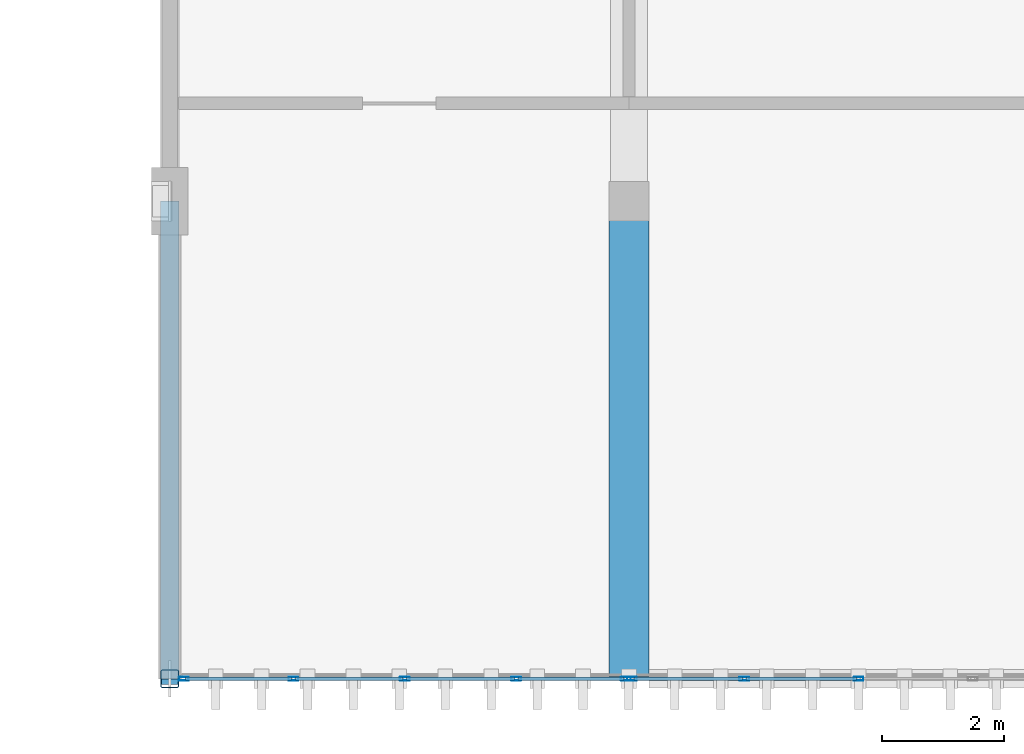
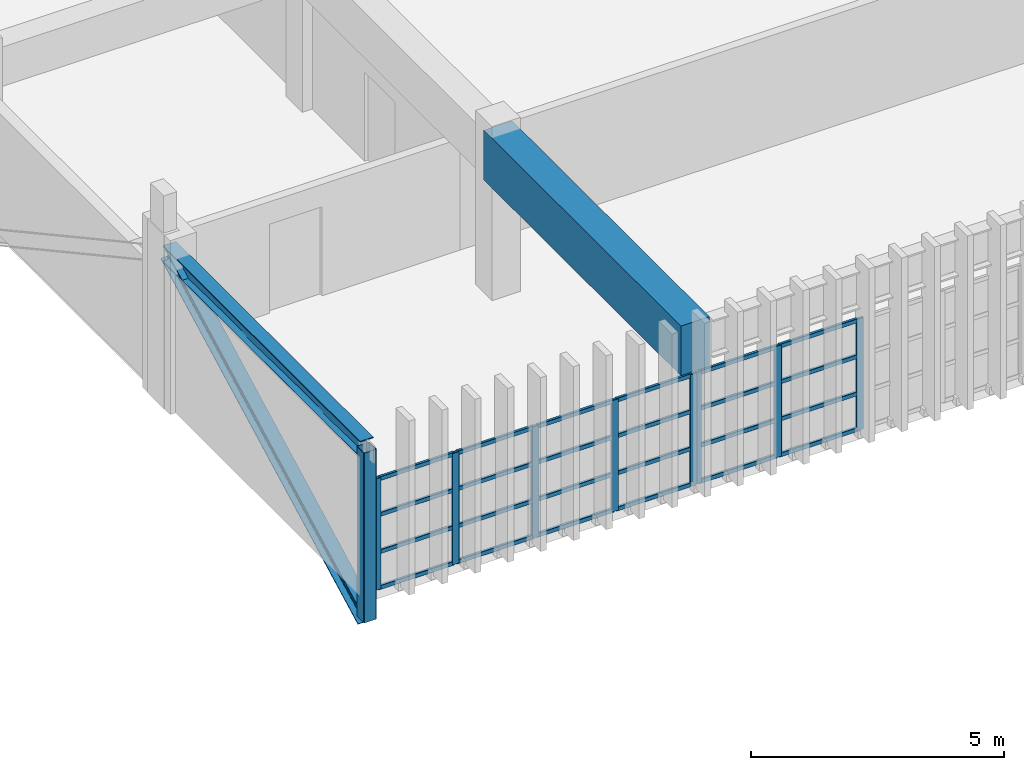
# One storey, part 2 of 51: 35 members, 1 beam, 2 elements without a shape of their own.
"""IFC4 building model written with IfcOpenShell, lengths in metres."""

from ifc_helpers import new_model, si_unit, direction, frame, origin, origin_2d, place, context, subcontext, project, spatial, rectangle, hollow_rectangle, i_section, extrude, material, material_profile, profile_set, type_object, element, aggregate, save


model = new_model("IFC4")

# Units and contexts
model_context = context("Model", 3, precision=1e-05, world=origin(), true_north=direction((0.0, 1.0)))
body_context = subcontext(model_context, "Body", "Model", "MODEL_VIEW")
ifc_project = project(units=[si_unit("LENGTHUNIT", "METRE"), si_unit("AREAUNIT", "SQUARE_METRE"), si_unit("VOLUMEUNIT", "CUBIC_METRE"), si_unit("PLANEANGLEUNIT", "RADIAN"), si_unit("MASSUNIT", "GRAM", prefix="KILO")], contexts=[model_context])

# Site, building, storey
site_placement = place(None, origin())
site = spatial("IfcSite", under=ifc_project, at=site_placement, CompositionType="ELEMENT")
building_placement = place(site_placement, origin())
building = spatial("IfcBuilding", under=site, at=building_placement, Name="Qasida Concert Hall", CompositionType="ELEMENT")
storey_placement = place(building_placement, frame((0.0, 0.0, 21.0)))
storey = spatial("IfcBuildingStorey", under=building, at=storey_placement, Name="L05", CompositionType="ELEMENT", Elevation=21.0)

# Beam
ifc_material_1 = material(Name="Concrete C50/60", Category="concrete")
ifc_material_profile_1 = material_profile(ifc_material_1, rectangle(XDim=0.64990234375, YDim=1.199951171875, at=origin_2d()), Name="RC 650x1200")
ifc_profile_set_1 = profile_set([ifc_material_profile_1], Name="Concrete C50/60")
beam_type = type_object("IfcBeamType", Name="BM-CG-1200", PredefinedType="USERDEFINED", material=ifc_profile_set_1)
beam_placement = place(storey_placement, frame((60.0, 22.5, 3.320068359375), z_axis=(0.0, -1.0, 0.0), x_axis=(1.0, 0.0, 0.0)))
element("IfcBeam", 1, at=beam_placement, inside=storey, type_object=beam_type, Name="Cantilever girder CG-029", ObjectType="GIRDER", PredefinedType="USERDEFINED", context=body_context, shape_type="SweptSolid", body=[
    extrude(rectangle(XDim=0.64990234375, YDim=1.199951171875, at=origin_2d()), origin(), (0.0, 0.0, 1.0), 7.800048828125),
])

# Members
ifc_material_2 = material(Name="Steel S355J2", Category="steel")
ifc_material_profile_2 = material_profile(ifc_material_2, i_section(OverallWidth=0.300048828125, OverallDepth=0.39990234375, WebThickness=0.013427734375, FlangeThickness=0.02392578125, FilletRadius=0.027099609375, at=origin_2d()), Name="HEB 400")
ifc_profile_set_2 = profile_set([ifc_material_profile_2], Name="Steel S355J2")
member_type_1 = type_object("IfcMemberType", Name="MB-CH1", PredefinedType="CHORD", material=ifc_profile_set_2)
member_1_placement = place(storey_placement, frame((52.5, 22.5, 3.5), z_axis=(0.0, -0.885160900298, -0.465285053041), x_axis=(1.0, 0.0, 0.0)))
element("IfcMember", 2, at=member_1_placement, inside=storey, type_object=member_type_1, Name="Wall truss diagonal WT-W-014", PredefinedType="CHORD", context=body_context, shape_type="SweptSolid", body=[
    extrude(i_section(OverallWidth=0.300048828125, OverallDepth=0.39990234375, WebThickness=0.013427734375, FlangeThickness=0.02392578125, FilletRadius=0.027099609375, at=origin_2d()), origin(), (0.0, 0.0, 1.0), 8.81201171875),
])
member_2_placement = place(storey_placement, frame((52.5, 14.699951171875, 3.5), z_axis=(0.0, 1.0, 0.0), x_axis=(-1.0, 0.0, 0.0)))
element("IfcMember", 3, at=member_2_placement, inside=storey, type_object=member_type_1, Name="Wall truss top chord WT-W-016", PredefinedType="CHORD", context=body_context, shape_type="SweptSolid", body=[
    extrude(i_section(OverallWidth=0.300048828125, OverallDepth=0.39990234375, WebThickness=0.013427734375, FlangeThickness=0.02392578125, FilletRadius=0.027099609375, at=origin_2d()), origin(), (0.0, 0.0, 1.0), 7.800048828125),
])

# Curtain wall, members
ifc_material_3 = material(Name="Architectural bronze-anodized aluminium and low-E glass", Category="aluminium")
curtain_wall_type = type_object("IfcCurtainWallType", Name="CW-05", PredefinedType="NOTDEFINED", material=ifc_material_3)
curtain_wall_1_placement = place(storey_placement, origin())
curtain_wall_1 = element("IfcCurtainWall", 4, at=curtain_wall_1_placement, inside=storey, type_object=curtain_wall_type, Name="L05 curtain wall CW-05 0029", PredefinedType="NOTDEFINED")
ifc_material_4 = material(Name="Architectural bronze-anodized aluminium EN AW-6063", Category="aluminium")
ifc_material_profile_3 = material_profile(ifc_material_4, hollow_rectangle(XDim=0.06005859375, YDim=0.159912109375, WallThickness=0.00390625, InnerFilletRadius=0.00390625, OuterFilletRadius=0.008056640625, at=origin_2d()), Name="CWM 160x60x4")
ifc_profile_set_3 = profile_set([ifc_material_profile_3], Name="Architectural bronze-anodized aluminium EN AW-6063")
member_type_2 = type_object("IfcMemberType", Name="MB-CWM-3", PredefinedType="MULLION", material=ifc_profile_set_3)
member_3_placement = place(storey_placement, frame((52.72998046875, 14.699951171875, 0.0), z_axis=(0.0, 0.0, 1.0), x_axis=(0.0, 1.0, 0.0)))
member_3 = element("IfcMember", 5, at=member_3_placement, type_object=member_type_2, Name="CW-05 mullion 1", PredefinedType="MULLION", context=body_context, shape_type="SweptSolid", body=[
    extrude(hollow_rectangle(XDim=0.06005859375, YDim=0.159912109375, WallThickness=0.00390625, InnerFilletRadius=0.00390625, OuterFilletRadius=0.008056640625, at=origin_2d()), origin(), (0.0, 0.0, 1.0), 2.68994140625),
])
member_4_placement = place(storey_placement, frame((54.52001953125, 14.699951171875, 0.0), z_axis=(0.0, 0.0, 1.0), x_axis=(0.0, 1.0, 0.0)))
member_4 = element("IfcMember", 6, at=member_4_placement, type_object=member_type_2, Name="CW-05 mullion 2", PredefinedType="MULLION", context=body_context, shape_type="SweptSolid", body=[
    extrude(hollow_rectangle(XDim=0.06005859375, YDim=0.159912109375, WallThickness=0.00390625, InnerFilletRadius=0.00390625, OuterFilletRadius=0.008056640625, at=origin_2d()), origin(), (0.0, 0.0, 1.0), 2.68994140625),
])
member_5_placement = place(storey_placement, frame((56.340087890625, 14.699951171875, 0.0), z_axis=(0.0, 0.0, 1.0), x_axis=(0.0, 1.0, 0.0)))
member_5 = element("IfcMember", 7, at=member_5_placement, type_object=member_type_2, Name="CW-05 mullion 3", PredefinedType="MULLION", context=body_context, shape_type="SweptSolid", body=[
    extrude(hollow_rectangle(XDim=0.06005859375, YDim=0.159912109375, WallThickness=0.00390625, InnerFilletRadius=0.00390625, OuterFilletRadius=0.008056640625, at=origin_2d()), origin(), (0.0, 0.0, 1.0), 2.68994140625),
])
member_6_placement = place(storey_placement, frame((58.159912109375, 14.699951171875, 0.0), z_axis=(0.0, 0.0, 1.0), x_axis=(0.0, 1.0, 0.0)))
member_6 = element("IfcMember", 8, at=member_6_placement, type_object=member_type_2, Name="CW-05 mullion 4", PredefinedType="MULLION", context=body_context, shape_type="SweptSolid", body=[
    extrude(hollow_rectangle(XDim=0.06005859375, YDim=0.159912109375, WallThickness=0.00390625, InnerFilletRadius=0.00390625, OuterFilletRadius=0.008056640625, at=origin_2d()), origin(), (0.0, 0.0, 1.0), 2.68994140625),
])
member_7_placement = place(storey_placement, frame((59.949951171875, 14.699951171875, 0.0), z_axis=(0.0, 0.0, 1.0), x_axis=(0.0, 1.0, 0.0)))
member_7 = element("IfcMember", 9, at=member_7_placement, type_object=member_type_2, Name="CW-05 mullion 5", PredefinedType="MULLION", context=body_context, shape_type="SweptSolid", body=[
    extrude(hollow_rectangle(XDim=0.06005859375, YDim=0.159912109375, WallThickness=0.00390625, InnerFilletRadius=0.00390625, OuterFilletRadius=0.008056640625, at=origin_2d()), origin(), (0.0, 0.0, 1.0), 2.68994140625),
])

curtain_wall_2_placement = place(storey_placement, origin())
curtain_wall_2 = element("IfcCurtainWall", 10, at=curtain_wall_2_placement, inside=storey, type_object=curtain_wall_type, Name="L05 curtain wall CW-05 0030", PredefinedType="NOTDEFINED")
member_8_placement = place(storey_placement, frame((60.050048828125, 14.699951171875, 0.0), z_axis=(0.0, 0.0, 1.0), x_axis=(0.0, 1.0, 0.0)))
member_8 = element("IfcMember", 11, at=member_8_placement, type_object=member_type_2, Name="CW-05 mullion 1", PredefinedType="MULLION", context=body_context, shape_type="SweptSolid", body=[
    extrude(hollow_rectangle(XDim=0.06005859375, YDim=0.159912109375, WallThickness=0.00390625, InnerFilletRadius=0.00390625, OuterFilletRadius=0.008056640625, at=origin_2d()), origin(), (0.0, 0.0, 1.0), 2.68994140625),
])
member_9_placement = place(storey_placement, frame((61.885009765625, 14.699951171875, 0.0), z_axis=(0.0, 0.0, 1.0), x_axis=(0.0, 1.0, 0.0)))
member_9 = element("IfcMember", 12, at=member_9_placement, type_object=member_type_2, Name="CW-05 mullion 2", PredefinedType="MULLION", context=body_context, shape_type="SweptSolid", body=[
    extrude(hollow_rectangle(XDim=0.06005859375, YDim=0.159912109375, WallThickness=0.00390625, InnerFilletRadius=0.00390625, OuterFilletRadius=0.008056640625, at=origin_2d()), origin(), (0.0, 0.0, 1.0), 2.68994140625),
])
member_10_placement = place(storey_placement, frame((63.75, 14.699951171875, 0.0), z_axis=(0.0, 0.0, 1.0), x_axis=(0.0, 1.0, 0.0)))
member_10 = element("IfcMember", 13, at=member_10_placement, type_object=member_type_2, Name="CW-05 mullion 3", PredefinedType="MULLION", context=body_context, shape_type="SweptSolid", body=[
    extrude(hollow_rectangle(XDim=0.06005859375, YDim=0.159912109375, WallThickness=0.00390625, InnerFilletRadius=0.00390625, OuterFilletRadius=0.008056640625, at=origin_2d()), origin(), (0.0, 0.0, 1.0), 2.68994140625),
])

# Member
ifc_material_profile_4 = material_profile(ifc_material_4, hollow_rectangle(XDim=0.06005859375, YDim=0.10009765625, WallThickness=0.00341796875, InnerFilletRadius=0.00341796875, OuterFilletRadius=0.007080078125, at=origin_2d()), Name="CWT 100x60x3.5")
ifc_profile_set_4 = profile_set([ifc_material_profile_4], Name="Architectural bronze-anodized aluminium EN AW-6063")
member_type_3 = type_object("IfcMemberType", Name="MB-CWT-3", PredefinedType="USERDEFINED", material=ifc_profile_set_4)
member_11_placement = place(storey_placement, frame((52.760009765625, 14.699951171875, 0.030029296875), z_axis=(1.0, 0.0, 0.0), x_axis=(0.0, 1.0, 0.0)))
member_11 = element("IfcMember", 14, at=member_11_placement, type_object=member_type_3, Name="CW-05 transom 1.1", ObjectType="TRANSOM", PredefinedType="USERDEFINED", context=body_context, shape_type="SweptSolid", body=[
    extrude(hollow_rectangle(XDim=0.06005859375, YDim=0.10009765625, WallThickness=0.00341796875, InnerFilletRadius=0.00341796875, OuterFilletRadius=0.007080078125, at=origin_2d()), origin(), (0.0, 0.0, 1.0), 1.72998046875),
])

member_12_placement = place(storey_placement, frame((52.760009765625, 14.699951171875, 0.896728515625), z_axis=(1.0, 0.0, 0.0), x_axis=(0.0, 1.0, 0.0)))
member_12 = element("IfcMember", 15, at=member_12_placement, type_object=member_type_3, Name="CW-05 transom 1.2", ObjectType="TRANSOM", PredefinedType="USERDEFINED", context=body_context, shape_type="SweptSolid", body=[
    extrude(hollow_rectangle(XDim=0.06005859375, YDim=0.10009765625, WallThickness=0.00341796875, InnerFilletRadius=0.00341796875, OuterFilletRadius=0.007080078125, at=origin_2d()), origin(), (0.0, 0.0, 1.0), 1.72998046875),
])

member_13_placement = place(storey_placement, frame((52.760009765625, 14.699951171875, 1.793212890625), z_axis=(1.0, 0.0, 0.0), x_axis=(0.0, 1.0, 0.0)))
member_13 = element("IfcMember", 16, at=member_13_placement, type_object=member_type_3, Name="CW-05 transom 1.3", ObjectType="TRANSOM", PredefinedType="USERDEFINED", context=body_context, shape_type="SweptSolid", body=[
    extrude(hollow_rectangle(XDim=0.06005859375, YDim=0.10009765625, WallThickness=0.00341796875, InnerFilletRadius=0.00341796875, OuterFilletRadius=0.007080078125, at=origin_2d()), origin(), (0.0, 0.0, 1.0), 1.72998046875),
])

member_14_placement = place(storey_placement, frame((52.760009765625, 14.699951171875, 2.659912109375), z_axis=(1.0, 0.0, 0.0), x_axis=(0.0, 1.0, 0.0)))
member_14 = element("IfcMember", 17, at=member_14_placement, type_object=member_type_3, Name="CW-05 transom 1.4", ObjectType="TRANSOM", PredefinedType="USERDEFINED", context=body_context, shape_type="SweptSolid", body=[
    extrude(hollow_rectangle(XDim=0.06005859375, YDim=0.10009765625, WallThickness=0.00341796875, InnerFilletRadius=0.00341796875, OuterFilletRadius=0.007080078125, at=origin_2d()), origin(), (0.0, 0.0, 1.0), 1.72998046875),
])

member_15_placement = place(storey_placement, frame((54.550048828125, 14.699951171875, 0.030029296875), z_axis=(1.0, 0.0, 0.0), x_axis=(0.0, 1.0, 0.0)))
member_15 = element("IfcMember", 18, at=member_15_placement, type_object=member_type_3, Name="CW-05 transom 2.1", ObjectType="TRANSOM", PredefinedType="USERDEFINED", context=body_context, shape_type="SweptSolid", body=[
    extrude(hollow_rectangle(XDim=0.06005859375, YDim=0.10009765625, WallThickness=0.00341796875, InnerFilletRadius=0.00341796875, OuterFilletRadius=0.007080078125, at=origin_2d()), origin(), (0.0, 0.0, 1.0), 1.760009765625),
])

member_16_placement = place(storey_placement, frame((54.550048828125, 14.699951171875, 0.896728515625), z_axis=(1.0, 0.0, 0.0), x_axis=(0.0, 1.0, 0.0)))
member_16 = element("IfcMember", 19, at=member_16_placement, type_object=member_type_3, Name="CW-05 transom 2.2", ObjectType="TRANSOM", PredefinedType="USERDEFINED", context=body_context, shape_type="SweptSolid", body=[
    extrude(hollow_rectangle(XDim=0.06005859375, YDim=0.10009765625, WallThickness=0.00341796875, InnerFilletRadius=0.00341796875, OuterFilletRadius=0.007080078125, at=origin_2d()), origin(), (0.0, 0.0, 1.0), 1.760009765625),
])

member_17_placement = place(storey_placement, frame((54.550048828125, 14.699951171875, 1.793212890625), z_axis=(1.0, 0.0, 0.0), x_axis=(0.0, 1.0, 0.0)))
member_17 = element("IfcMember", 20, at=member_17_placement, type_object=member_type_3, Name="CW-05 transom 2.3", ObjectType="TRANSOM", PredefinedType="USERDEFINED", context=body_context, shape_type="SweptSolid", body=[
    extrude(hollow_rectangle(XDim=0.06005859375, YDim=0.10009765625, WallThickness=0.00341796875, InnerFilletRadius=0.00341796875, OuterFilletRadius=0.007080078125, at=origin_2d()), origin(), (0.0, 0.0, 1.0), 1.760009765625),
])

member_18_placement = place(storey_placement, frame((54.550048828125, 14.699951171875, 2.659912109375), z_axis=(1.0, 0.0, 0.0), x_axis=(0.0, 1.0, 0.0)))
member_18 = element("IfcMember", 21, at=member_18_placement, type_object=member_type_3, Name="CW-05 transom 2.4", ObjectType="TRANSOM", PredefinedType="USERDEFINED", context=body_context, shape_type="SweptSolid", body=[
    extrude(hollow_rectangle(XDim=0.06005859375, YDim=0.10009765625, WallThickness=0.00341796875, InnerFilletRadius=0.00341796875, OuterFilletRadius=0.007080078125, at=origin_2d()), origin(), (0.0, 0.0, 1.0), 1.760009765625),
])

member_19_placement = place(storey_placement, frame((56.3701171875, 14.699951171875, 0.030029296875), z_axis=(1.0, 0.0, 0.0), x_axis=(0.0, 1.0, 0.0)))
member_19 = element("IfcMember", 22, at=member_19_placement, type_object=member_type_3, Name="CW-05 transom 3.1", ObjectType="TRANSOM", PredefinedType="USERDEFINED", context=body_context, shape_type="SweptSolid", body=[
    extrude(hollow_rectangle(XDim=0.06005859375, YDim=0.10009765625, WallThickness=0.00341796875, InnerFilletRadius=0.00341796875, OuterFilletRadius=0.007080078125, at=origin_2d()), origin(), (0.0, 0.0, 1.0), 1.759765625),
])

member_20_placement = place(storey_placement, frame((56.3701171875, 14.699951171875, 0.896728515625), z_axis=(1.0, 0.0, 0.0), x_axis=(0.0, 1.0, 0.0)))
member_20 = element("IfcMember", 23, at=member_20_placement, type_object=member_type_3, Name="CW-05 transom 3.2", ObjectType="TRANSOM", PredefinedType="USERDEFINED", context=body_context, shape_type="SweptSolid", body=[
    extrude(hollow_rectangle(XDim=0.06005859375, YDim=0.10009765625, WallThickness=0.00341796875, InnerFilletRadius=0.00341796875, OuterFilletRadius=0.007080078125, at=origin_2d()), origin(), (0.0, 0.0, 1.0), 1.759765625),
])

member_21_placement = place(storey_placement, frame((56.3701171875, 14.699951171875, 1.793212890625), z_axis=(1.0, 0.0, 0.0), x_axis=(0.0, 1.0, 0.0)))
member_21 = element("IfcMember", 24, at=member_21_placement, type_object=member_type_3, Name="CW-05 transom 3.3", ObjectType="TRANSOM", PredefinedType="USERDEFINED", context=body_context, shape_type="SweptSolid", body=[
    extrude(hollow_rectangle(XDim=0.06005859375, YDim=0.10009765625, WallThickness=0.00341796875, InnerFilletRadius=0.00341796875, OuterFilletRadius=0.007080078125, at=origin_2d()), origin(), (0.0, 0.0, 1.0), 1.759765625),
])

member_22_placement = place(storey_placement, frame((56.3701171875, 14.699951171875, 2.659912109375), z_axis=(1.0, 0.0, 0.0), x_axis=(0.0, 1.0, 0.0)))
member_22 = element("IfcMember", 25, at=member_22_placement, type_object=member_type_3, Name="CW-05 transom 3.4", ObjectType="TRANSOM", PredefinedType="USERDEFINED", context=body_context, shape_type="SweptSolid", body=[
    extrude(hollow_rectangle(XDim=0.06005859375, YDim=0.10009765625, WallThickness=0.00341796875, InnerFilletRadius=0.00341796875, OuterFilletRadius=0.007080078125, at=origin_2d()), origin(), (0.0, 0.0, 1.0), 1.759765625),
])

member_23_placement = place(storey_placement, frame((58.18994140625, 14.699951171875, 0.030029296875), z_axis=(1.0, 0.0, 0.0), x_axis=(0.0, 1.0, 0.0)))
member_23 = element("IfcMember", 26, at=member_23_placement, type_object=member_type_3, Name="CW-05 transom 4.1", ObjectType="TRANSOM", PredefinedType="USERDEFINED", context=body_context, shape_type="SweptSolid", body=[
    extrude(hollow_rectangle(XDim=0.06005859375, YDim=0.10009765625, WallThickness=0.00341796875, InnerFilletRadius=0.00341796875, OuterFilletRadius=0.007080078125, at=origin_2d()), origin(), (0.0, 0.0, 1.0), 1.72998046875),
])

member_24_placement = place(storey_placement, frame((58.18994140625, 14.699951171875, 0.896728515625), z_axis=(1.0, 0.0, 0.0), x_axis=(0.0, 1.0, 0.0)))
member_24 = element("IfcMember", 27, at=member_24_placement, type_object=member_type_3, Name="CW-05 transom 4.2", ObjectType="TRANSOM", PredefinedType="USERDEFINED", context=body_context, shape_type="SweptSolid", body=[
    extrude(hollow_rectangle(XDim=0.06005859375, YDim=0.10009765625, WallThickness=0.00341796875, InnerFilletRadius=0.00341796875, OuterFilletRadius=0.007080078125, at=origin_2d()), origin(), (0.0, 0.0, 1.0), 1.72998046875),
])

member_25_placement = place(storey_placement, frame((58.18994140625, 14.699951171875, 1.793212890625), z_axis=(1.0, 0.0, 0.0), x_axis=(0.0, 1.0, 0.0)))
member_25 = element("IfcMember", 28, at=member_25_placement, type_object=member_type_3, Name="CW-05 transom 4.3", ObjectType="TRANSOM", PredefinedType="USERDEFINED", context=body_context, shape_type="SweptSolid", body=[
    extrude(hollow_rectangle(XDim=0.06005859375, YDim=0.10009765625, WallThickness=0.00341796875, InnerFilletRadius=0.00341796875, OuterFilletRadius=0.007080078125, at=origin_2d()), origin(), (0.0, 0.0, 1.0), 1.72998046875),
])

member_26_placement = place(storey_placement, frame((58.18994140625, 14.699951171875, 2.659912109375), z_axis=(1.0, 0.0, 0.0), x_axis=(0.0, 1.0, 0.0)))
member_26 = element("IfcMember", 29, at=member_26_placement, type_object=member_type_3, Name="CW-05 transom 4.4", ObjectType="TRANSOM", PredefinedType="USERDEFINED", context=body_context, shape_type="SweptSolid", body=[
    extrude(hollow_rectangle(XDim=0.06005859375, YDim=0.10009765625, WallThickness=0.00341796875, InnerFilletRadius=0.00341796875, OuterFilletRadius=0.007080078125, at=origin_2d()), origin(), (0.0, 0.0, 1.0), 1.72998046875),
])

aggregate(curtain_wall_1, [member_3, member_4, member_5, member_6, member_7, member_11, member_12, member_13, member_14, member_15, member_16, member_17, member_18, member_19, member_20, member_21, member_22, member_23, member_24, member_25, member_26])

member_27_placement = place(storey_placement, frame((60.080078125, 14.699951171875, 0.030029296875), z_axis=(1.0, 0.0, 0.0), x_axis=(0.0, 1.0, 0.0)))
member_27 = element("IfcMember", 30, at=member_27_placement, type_object=member_type_3, Name="CW-05 transom 1.1", ObjectType="TRANSOM", PredefinedType="USERDEFINED", context=body_context, shape_type="SweptSolid", body=[
    extrude(hollow_rectangle(XDim=0.06005859375, YDim=0.10009765625, WallThickness=0.00341796875, InnerFilletRadius=0.00341796875, OuterFilletRadius=0.007080078125, at=origin_2d()), origin(), (0.0, 0.0, 1.0), 1.77490234375),
])

member_28_placement = place(storey_placement, frame((60.080078125, 14.699951171875, 0.896728515625), z_axis=(1.0, 0.0, 0.0), x_axis=(0.0, 1.0, 0.0)))
member_28 = element("IfcMember", 31, at=member_28_placement, type_object=member_type_3, Name="CW-05 transom 1.2", ObjectType="TRANSOM", PredefinedType="USERDEFINED", context=body_context, shape_type="SweptSolid", body=[
    extrude(hollow_rectangle(XDim=0.06005859375, YDim=0.10009765625, WallThickness=0.00341796875, InnerFilletRadius=0.00341796875, OuterFilletRadius=0.007080078125, at=origin_2d()), origin(), (0.0, 0.0, 1.0), 1.77490234375),
])

member_29_placement = place(storey_placement, frame((60.080078125, 14.699951171875, 1.793212890625), z_axis=(1.0, 0.0, 0.0), x_axis=(0.0, 1.0, 0.0)))
member_29 = element("IfcMember", 32, at=member_29_placement, type_object=member_type_3, Name="CW-05 transom 1.3", ObjectType="TRANSOM", PredefinedType="USERDEFINED", context=body_context, shape_type="SweptSolid", body=[
    extrude(hollow_rectangle(XDim=0.06005859375, YDim=0.10009765625, WallThickness=0.00341796875, InnerFilletRadius=0.00341796875, OuterFilletRadius=0.007080078125, at=origin_2d()), origin(), (0.0, 0.0, 1.0), 1.77490234375),
])

member_30_placement = place(storey_placement, frame((60.080078125, 14.699951171875, 2.659912109375), z_axis=(1.0, 0.0, 0.0), x_axis=(0.0, 1.0, 0.0)))
member_30 = element("IfcMember", 33, at=member_30_placement, type_object=member_type_3, Name="CW-05 transom 1.4", ObjectType="TRANSOM", PredefinedType="USERDEFINED", context=body_context, shape_type="SweptSolid", body=[
    extrude(hollow_rectangle(XDim=0.06005859375, YDim=0.10009765625, WallThickness=0.00341796875, InnerFilletRadius=0.00341796875, OuterFilletRadius=0.007080078125, at=origin_2d()), origin(), (0.0, 0.0, 1.0), 1.77490234375),
])

member_31_placement = place(storey_placement, frame((61.9150390625, 14.699951171875, 0.030029296875), z_axis=(1.0, 0.0, 0.0), x_axis=(0.0, 1.0, 0.0)))
member_31 = element("IfcMember", 34, at=member_31_placement, type_object=member_type_3, Name="CW-05 transom 2.1", ObjectType="TRANSOM", PredefinedType="USERDEFINED", context=body_context, shape_type="SweptSolid", body=[
    extrude(hollow_rectangle(XDim=0.06005859375, YDim=0.10009765625, WallThickness=0.00341796875, InnerFilletRadius=0.00341796875, OuterFilletRadius=0.007080078125, at=origin_2d()), origin(), (0.0, 0.0, 1.0), 1.804931640625),
])

member_32_placement = place(storey_placement, frame((61.9150390625, 14.699951171875, 0.896728515625), z_axis=(1.0, 0.0, 0.0), x_axis=(0.0, 1.0, 0.0)))
member_32 = element("IfcMember", 35, at=member_32_placement, type_object=member_type_3, Name="CW-05 transom 2.2", ObjectType="TRANSOM", PredefinedType="USERDEFINED", context=body_context, shape_type="SweptSolid", body=[
    extrude(hollow_rectangle(XDim=0.06005859375, YDim=0.10009765625, WallThickness=0.00341796875, InnerFilletRadius=0.00341796875, OuterFilletRadius=0.007080078125, at=origin_2d()), origin(), (0.0, 0.0, 1.0), 1.804931640625),
])

member_33_placement = place(storey_placement, frame((61.9150390625, 14.699951171875, 1.793212890625), z_axis=(1.0, 0.0, 0.0), x_axis=(0.0, 1.0, 0.0)))
member_33 = element("IfcMember", 36, at=member_33_placement, type_object=member_type_3, Name="CW-05 transom 2.3", ObjectType="TRANSOM", PredefinedType="USERDEFINED", context=body_context, shape_type="SweptSolid", body=[
    extrude(hollow_rectangle(XDim=0.06005859375, YDim=0.10009765625, WallThickness=0.00341796875, InnerFilletRadius=0.00341796875, OuterFilletRadius=0.007080078125, at=origin_2d()), origin(), (0.0, 0.0, 1.0), 1.804931640625),
])

member_34_placement = place(storey_placement, frame((61.9150390625, 14.699951171875, 2.659912109375), z_axis=(1.0, 0.0, 0.0), x_axis=(0.0, 1.0, 0.0)))
member_34 = element("IfcMember", 37, at=member_34_placement, type_object=member_type_3, Name="CW-05 transom 2.4", ObjectType="TRANSOM", PredefinedType="USERDEFINED", context=body_context, shape_type="SweptSolid", body=[
    extrude(hollow_rectangle(XDim=0.06005859375, YDim=0.10009765625, WallThickness=0.00341796875, InnerFilletRadius=0.00341796875, OuterFilletRadius=0.007080078125, at=origin_2d()), origin(), (0.0, 0.0, 1.0), 1.804931640625),
])

aggregate(curtain_wall_2, [member_8, member_9, member_10, member_27, member_28, member_29, member_30, member_31, member_32, member_33, member_34])

ifc_material_profile_5 = material_profile(ifc_material_2, hollow_rectangle(XDim=0.300048828125, YDim=0.300048828125, WallThickness=0.01611328125, InnerFilletRadius=0.01611328125, OuterFilletRadius=0.031982421875, at=origin_2d()), Name="SHS 300x300x16")
ifc_profile_set_5 = profile_set([ifc_material_profile_5], Name="Steel S355J2")
member_type_4 = type_object("IfcMemberType", Name="MB-ST4", PredefinedType="STRUT", material=ifc_profile_set_5)
member_35_placement = place(storey_placement, frame((52.5, 14.699951171875, -0.60009765625), z_axis=(0.0, 0.0, 1.0), x_axis=(1.0, 0.0, 0.0)))
element("IfcMember", 38, at=member_35_placement, inside=storey, type_object=member_type_4, Name="Wall truss post WT-W-013", PredefinedType="STRUT", context=body_context, shape_type="SweptSolid", body=[
    extrude(hollow_rectangle(XDim=0.300048828125, YDim=0.300048828125, WallThickness=0.01611328125, InnerFilletRadius=0.01611328125, OuterFilletRadius=0.031982421875, at=origin_2d()), origin(), (0.0, 0.0, 1.0), 4.10009765625),
])

save(model, "model.ifc")
